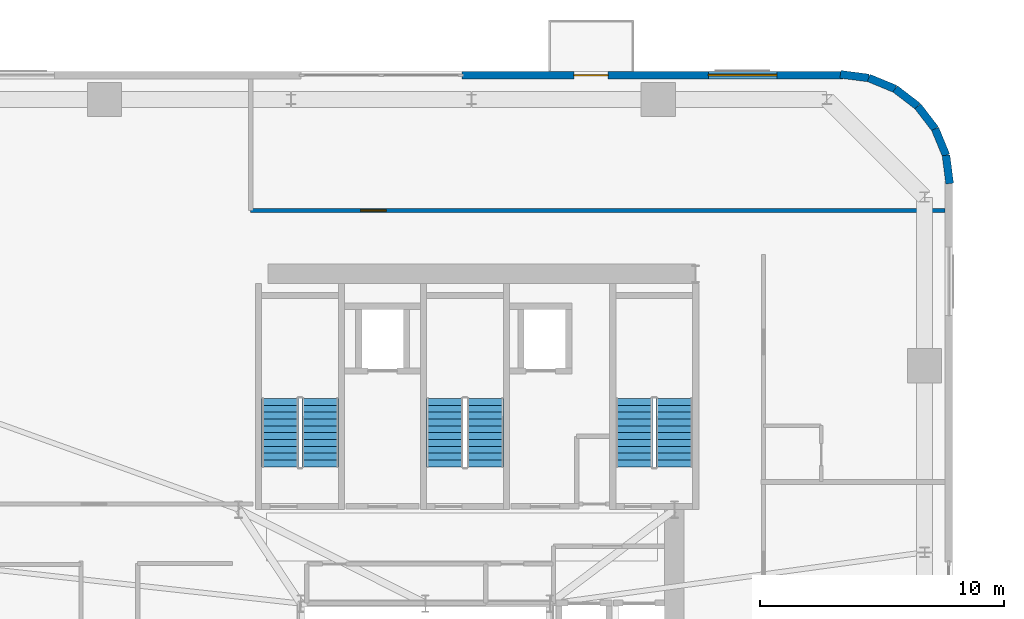
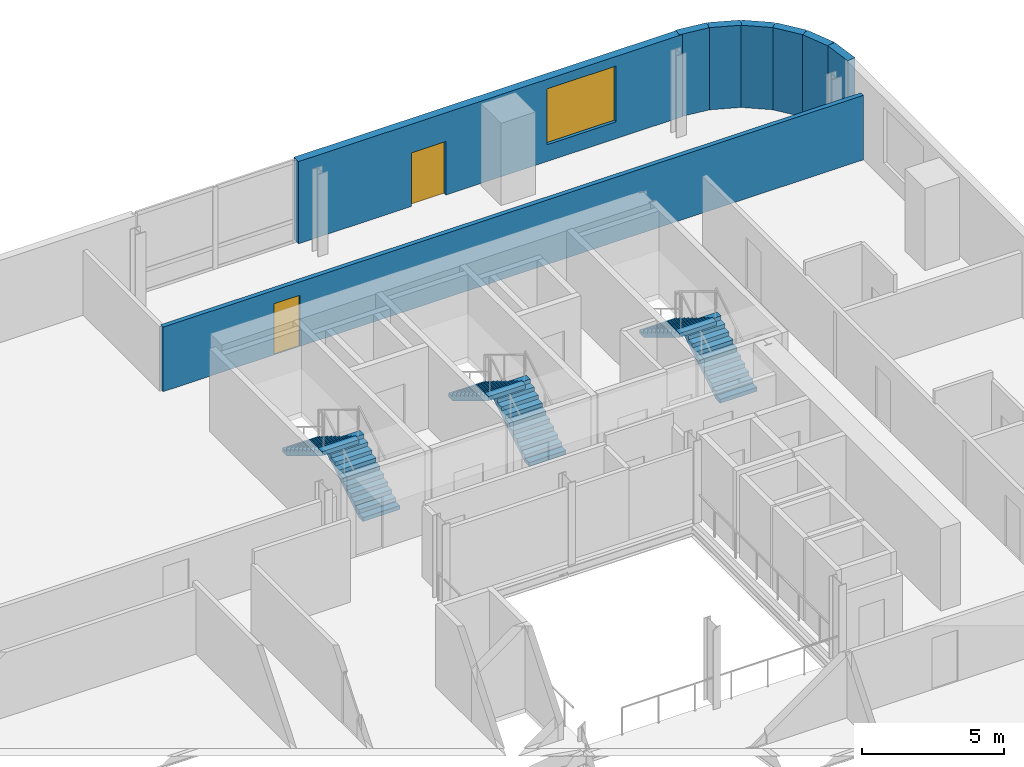
# One storey, part 11 of 16: 8 walls, 6 stair flights, 2 doors, 1 window, 3 openings, 3 elements without a shape of their own.
"""IFC4 building model written with IfcOpenShell, lengths in metres."""

import ifcopenshell
import ifcopenshell.guid

model = None  # the IFC model being written
_history = None  # IfcOwnerHistory: only IFC2X3 demands one
_inside = {}  # id of a spatial element -> (the spatial element, [elements in it])
_under = {}  # id of a project, library or spatial element -> (it, [spatial elements below it])
_declared = {}  # id of a project -> (the project, [libraries it declares])
_typed = {}  # id of a type object -> (the type object, [elements of that type])
_made_of = {}  # id of a material, layer set ... -> (it, [elements and type objects made of it])


def new_model(schema):
    """Start an empty IFC model of exactly this schema.

    Asked for "IFC4X3", IfcOpenShell would pick the latest addendum, in which some entities
    have other attributes; the version numbers below select the first issue.
    IFC2X3 requires an IfcOwnerHistory on every rooted entity: one is made here for all.
    """
    global model, _history
    if schema == "IFC4X3":
        model = ifcopenshell.file(schema_version=(4, 3, 0, 0))
    else:
        model = ifcopenshell.file(schema=schema)
    _inside.clear()
    _under.clear()
    _declared.clear()
    _typed.clear()
    _made_of.clear()
    _history = None
    if model.schema == "IFC2X3":
        org = make("IfcOrganization", Name="unknown")
        user = make(
            "IfcPersonAndOrganization",
            ThePerson=make("IfcPerson", FamilyName="unknown"),
            TheOrganization=org,
        )
        app = make(
            "IfcApplication",
            ApplicationDeveloper=org,
            Version="unknown",
            ApplicationFullName="unknown",
            ApplicationIdentifier="unknown",
        )
        _history = make(
            "IfcOwnerHistory",
            OwningUser=user,
            OwningApplication=app,
            ChangeAction="ADDED",
            CreationDate=0,
        )
    return model


def make(cls, **values):
    """One entity of the class cls with the attributes given. An attribute that is None is left unset."""
    return model.create_entity(
        cls, **{name: value for name, value in values.items() if value is not None}
    )


def rooted(cls, **values):
    """An entity with a GlobalId (a new one), such as an element, a storey or a relation."""
    return make(cls, GlobalId=ifcopenshell.guid.new(), OwnerHistory=_history, **values)


def si_unit(unit_type, name, prefix=None):
    """IfcSIUnit, for example si_unit("LENGTHUNIT", "METRE", prefix="MILLI")."""
    return make("IfcSIUnit", UnitType=unit_type, Prefix=prefix, Name=name)


def assignment(units):
    """IfcUnitAssignment: the units of a project."""
    return None if units is None else make("IfcUnitAssignment", Units=units)


def point(xyz):
    """IfcCartesianPoint."""
    return None if xyz is None else make("IfcCartesianPoint", Coordinates=xyz)


def direction(xyz):
    """IfcDirection."""
    return None if xyz is None else make("IfcDirection", DirectionRatios=xyz)


def frame(location, z_axis=None, x_axis=None):
    """IfcAxis2Placement3D, a coordinate frame: its origin and axes. An axis left out is left unset."""
    return make(
        "IfcAxis2Placement3D",
        Location=point(location),
        Axis=direction(z_axis),
        RefDirection=direction(x_axis),
    )


def frame_2d(location, x_axis=None):
    """IfcAxis2Placement2D, a coordinate frame in the plane: its origin and x axis."""
    return make(
        "IfcAxis2Placement2D", Location=point(location), RefDirection=direction(x_axis)
    )


def origin():
    """The frame at (0, 0, 0) with its axes left unset."""
    return frame((0.0, 0.0, 0.0))


def place(relative_to, where):
    """IfcLocalPlacement: puts the frame where relative to a parent placement (None: the world)."""
    return make(
        "IfcLocalPlacement", PlacementRelTo=relative_to, RelativePlacement=where
    )


def context(
    kind, dimensions, precision=None, world=None, true_north=None, identifier=None
):
    """IfcGeometricRepresentationContext, for example the 3D "Model" context."""
    return make(
        "IfcGeometricRepresentationContext",
        ContextIdentifier=identifier,
        ContextType=kind,
        CoordinateSpaceDimension=dimensions,
        Precision=precision,
        WorldCoordinateSystem=world,
        TrueNorth=true_north,
    )


def subcontext(parent, identifier, kind, view, scale=None):
    """IfcGeometricRepresentationSubContext, for example "Body" below "Model"."""
    return make(
        "IfcGeometricRepresentationSubContext",
        ContextIdentifier=identifier,
        ContextType=kind,
        ParentContext=parent,
        TargetScale=scale,
        TargetView=view,
    )


def project(units=None, contexts=None):
    """IfcProject with its units and contexts."""
    return rooted(
        "IfcProject",
        Name="project",
        RepresentationContexts=contexts,
        UnitsInContext=assignment(units),
    )


def spatial(cls, under=None, at=None, **own):
    """A site, building, storey or space (cls), placed at a placement, below another one or the project."""
    s = rooted(cls, ObjectPlacement=at, **own)
    if under is not None:
        _under.setdefault(under.id(), (under, []))[1].append(s)
    return s


def polyline(points):
    """IfcPolyline through the points."""
    return make("IfcPolyline", Points=[point(p) for p in points])


def profile(cls, at=None, kind="AREA", **sizes):
    """A parametric profile (cls). Its sizes go by their IFC names, for example OverallWidth=200.0."""
    return make(cls, ProfileType=kind, Position=at, **sizes)


def rectangle(**sizes):
    """IfcRectangleProfileDef."""
    return profile("IfcRectangleProfileDef", **sizes)


def outline(outer, holes=None, kind="AREA"):
    """IfcArbitraryClosedProfileDef: a profile drawn as a closed curve; with holes, ...WithVoids."""
    if holes is None:
        return make("IfcArbitraryClosedProfileDef", ProfileType=kind, OuterCurve=outer)
    return make(
        "IfcArbitraryProfileDefWithVoids",
        ProfileType=kind,
        OuterCurve=outer,
        InnerCurves=holes,
    )


def extrude(swept, where, along, depth):
    """IfcExtrudedAreaSolid: the profile swept, set in the frame where, extruded along a direction by depth."""
    return make(
        "IfcExtrudedAreaSolid",
        SweptArea=swept,
        Position=where,
        ExtrudedDirection=direction(along),
        Depth=depth,
    )


def shape(context_of_items, identifier, shape_type, items):
    """IfcShapeRepresentation: the items that make up one representation, for example the "Body"."""
    return make(
        "IfcShapeRepresentation",
        ContextOfItems=context_of_items,
        RepresentationIdentifier=identifier,
        RepresentationType=shape_type,
        Items=items,
    )


def source(mapping_origin, context_of_items, identifier, shape_type, items):
    """IfcRepresentationMap: a shape defined once, which mapped items show again and again."""
    return make(
        "IfcRepresentationMap",
        MappingOrigin=mapping_origin,
        MappedRepresentation=shape(context_of_items, identifier, shape_type, items),
    )


def transform(
    local_origin,
    x_axis=None,
    y_axis=None,
    z_axis=None,
    scale=None,
    scale2=None,
    scale3=None,
    uniform=True,
):
    """IfcCartesianTransformationOperator3D, or its non-uniform kind. x_axis, y_axis, z_axis: its Axis1, 2, 3."""
    if uniform:
        return make(
            "IfcCartesianTransformationOperator3D",
            Axis1=direction(x_axis),
            Axis2=direction(y_axis),
            LocalOrigin=point(local_origin),
            Scale=scale,
            Axis3=direction(z_axis),
        )
    return make(
        "IfcCartesianTransformationOperator3DnonUniform",
        Axis1=direction(x_axis),
        Axis2=direction(y_axis),
        LocalOrigin=point(local_origin),
        Scale=scale,
        Axis3=direction(z_axis),
        Scale2=scale2,
        Scale3=scale3,
    )


def mapped(mapping_source, mapping_target):
    """IfcMappedItem: shows the shape of a source again, moved by a transform."""
    return make(
        "IfcMappedItem", MappingSource=mapping_source, MappingTarget=mapping_target
    )


def material(Name=None, Category=None):
    """IfcMaterial."""
    return make("IfcMaterial", Name=Name, Category=Category)


def layer(
    of_material, thickness, ventilated=None, Name=None, Category=None, Priority=None
):
    """IfcMaterialLayer: one layer of a wall or slab, of a material (None: an air gap)."""
    return make(
        "IfcMaterialLayer",
        Material=of_material,
        LayerThickness=thickness,
        IsVentilated=ventilated,
        Name=Name,
        Category=Category,
        Priority=Priority,
    )


def layer_set(layers, Name=None):
    """IfcMaterialLayerSet."""
    return make("IfcMaterialLayerSet", MaterialLayers=layers, LayerSetName=Name)


def made_of(thing, what):
    """Note that an element or type object is made of a material, layer set ...; save() writes the relation."""
    if what is not None:
        _made_of.setdefault(what.id(), (what, []))[1].append(thing)
    return thing


def type_object(cls, material=None, **own):
    """A type object (cls), such as IfcWallType, which elements share."""
    return made_of(rooted(cls, **own), material)


def element(
    cls,
    number,
    at=None,
    inside=None,
    cuts=None,
    type_object=None,
    material=None,
    context=None,
    identifier="Body",
    shape_type=None,
    held_by="IfcProductDefinitionShape",
    body=None,
    shapes=None,
    **own,
):
    """One element of the class cls, such as IfcWall. Its Tag is "e" and its number.

    at: its placement. inside: the storey or other place that contains it. cuts: it is an
    opening in that element (IfcRelVoidsElement). A single representation is given by context,
    identifier, shape_type and body (its items); several are given by shapes. held_by: the class
    of the entity that holds the representations. save() writes the other relations.
    """
    e = rooted(cls, Tag="e%d" % number, ObjectPlacement=at, **own)
    if body is not None:
        shapes = [shape(context, identifier, shape_type, body)]
    if shapes is not None:
        e.Representation = make(held_by, Representations=shapes)
    if inside is not None:
        _inside.setdefault(inside.id(), (inside, []))[1].append(e)
    if cuts is not None:
        rooted(
            "IfcRelVoidsElement", RelatingBuildingElement=cuts, RelatedOpeningElement=e
        )
    if type_object is not None:
        _typed.setdefault(type_object.id(), (type_object, []))[1].append(e)
    return made_of(e, material)


def fill(opening, filler):
    """IfcRelFillsElement: the door or window that sits in an opening."""
    return rooted(
        "IfcRelFillsElement",
        RelatingOpeningElement=opening,
        RelatedBuildingElement=filler,
    )


def aggregate(whole, parts):
    """IfcRelAggregates: a whole, such as a stair, and the parts it consists of."""
    return rooted("IfcRelAggregates", RelatingObject=whole, RelatedObjects=parts)


def save(model, path):
    """Write the relations noted so far, then the file.

    IfcRelAggregates (storeys below a building ...), IfcRelContainedInSpatialStructure (elements
    in a storey), IfcRelDefinesByType, IfcRelAssociatesMaterial and IfcRelDeclares: one each for
    every whole, place, type object, material and project.
    """
    for whole, parts in _under.values():
        aggregate(whole, parts)
    for where, things in _inside.values():
        rooted(
            "IfcRelContainedInSpatialStructure",
            RelatedElements=things,
            RelatingStructure=where,
        )
    for kind, things in _typed.values():
        rooted("IfcRelDefinesByType", RelatedObjects=things, RelatingType=kind)
    for what, things in _made_of.values():
        rooted("IfcRelAssociatesMaterial", RelatedObjects=things, RelatingMaterial=what)
    for by, libraries in _declared.values():
        rooted("IfcRelDeclares", RelatingContext=by, RelatedDefinitions=libraries)
    model.write(path)


model = new_model("IFC4")

# Units and contexts
model_context = context("Model", 3, precision=1e-05, world=origin(), true_north=direction((0.0, 1.0)))
body_context = subcontext(model_context, "Body", "Model", "MODEL_VIEW")
ifc_project = project(units=[si_unit("LENGTHUNIT", "METRE"), si_unit("AREAUNIT", "SQUARE_METRE"), si_unit("VOLUMEUNIT", "CUBIC_METRE"), si_unit("PLANEANGLEUNIT", "RADIAN"), si_unit("MASSUNIT", "GRAM", prefix="KILO")], contexts=[model_context])

# Site, building, storey
site_placement = place(None, origin())
site = spatial("IfcSite", under=ifc_project, at=site_placement, CompositionType="ELEMENT")
building_placement = place(site_placement, origin())
building = spatial("IfcBuilding", under=site, at=building_placement, Name="Vardaveli Station Tower", CompositionType="ELEMENT")
storey_placement = place(building_placement, frame((0.0, 0.0, 188.550048828125)))
storey = spatial("IfcBuildingStorey", under=building, at=storey_placement, Name="L48", CompositionType="ELEMENT", Elevation=188.550048828125)

# Wall, openings, door, window
ifc_material_1 = material(Name="Precast concrete C45/55", Category="concrete")
ifc_layer_1 = layer(ifc_material_1, 0.320068359375, Name="Precast concrete C45/55")
ifc_layer_set_1 = layer_set([ifc_layer_1], Name="Precast concrete C45/55")
wall_type_1 = type_object("IfcWallType", Name="WAL-EXT-STONE-320", PredefinedType="SOLIDWALL", material=ifc_layer_set_1)
shared_shape_1 = source(origin(), body_context, "Body", "SweptSolid", [
    extrude(rectangle(XDim=15.599853515625, YDim=0.320068359375, at=frame_2d((7.7998046875, 0.0))), origin(), (0.0, 0.0, 1.0), 3.530029296875),
])
wall_1_placement = place(storey_placement, frame((53.39990234375, 48.43994140625, 0.0), z_axis=(0.0, 0.0, 1.0), x_axis=(-1.0, 0.0, 0.0)))
wall_1 = element("IfcWall", 1, at=wall_1_placement, inside=storey, type_object=wall_type_1, Name="EW-L48-N1", PredefinedType="SOLIDWALL", context=body_context, shape_type="MappedRepresentation", body=[
    mapped(shared_shape_1, transform((0.0, 0.0, 0.0), scale=1.0)),
])
shared_shape_2 = source(origin(), body_context, "Body", "SweptSolid", [
    extrude(rectangle(XDim=1.39990234375, YDim=2.300048828125, at=frame_2d((0.699951171875, 1.14990234375))), frame((0.0, 0.169921875, 0.0), z_axis=(0.0, -1.0, 0.0), x_axis=(1.0, 0.0, 0.0)), (0.0, 0.0, 1.0), 0.340087890625),
])
opening_1_placement = place(wall_1_placement, frame((9.6103515625, 0.0, 0.0)))
opening_1 = element("IfcOpeningElement", 2, at=opening_1_placement, cuts=wall_1, Name="Opening D-09", PredefinedType="OPENING", context=body_context, shape_type="MappedRepresentation", body=[
    mapped(shared_shape_2, transform((0.0, 0.0, 0.0), scale=1.0)),
])
shared_shape_3 = source(origin(), body_context, "Body", "SweptSolid", [
    extrude(rectangle(XDim=2.800048828125, YDim=2.39990234375, at=frame_2d((1.39990234375, 1.199951171875))), frame((0.0, 0.169921875, 0.0), z_axis=(0.0, -1.0, 0.0), x_axis=(1.0, 0.0, 0.0)), (0.0, 0.0, 1.0), 0.340087890625),
])
opening_2_placement = place(wall_1_placement, frame((2.705078125, 0.0, 0.719970703125)))
opening_2 = element("IfcOpeningElement", 3, at=opening_2_placement, cuts=wall_1, Name="Opening W-04", PredefinedType="OPENING", context=body_context, shape_type="MappedRepresentation", body=[
    mapped(shared_shape_3, transform((0.0, 0.0, 0.0), scale=1.0)),
])
ifc_material_2 = material(Name="Thermally broken aluminium glass", Category="aluminium")
door_type_1 = type_object("IfcDoorType", Name="DR-LOG-1400x2300", OperationType="DOUBLE_DOOR_SLIDING", PredefinedType="DOOR", material=ifc_material_2)
shared_shape_4 = source(origin(), body_context, "Body", "SweptSolid", [
    extrude(rectangle(XDim=1.39990234375, YDim=2.300048828125, at=frame_2d((0.699951171875, 1.14990234375))), frame((0.0, 0.02490234375, 0.0), z_axis=(0.0, -1.0, 0.0), x_axis=(1.0, 0.0, 0.0)), (0.0, 0.0, 1.0), 0.050048828125),
])
door_1_placement = place(opening_1_placement, frame((1.39990234375, 0.0, 0.0), z_axis=(0.0, 0.0, 1.0), x_axis=(-1.0, 0.0, 0.0)))
door_1 = element("IfcDoor", 4, at=door_1_placement, inside=storey, type_object=door_type_1, Name="DLG-L48-N", OperationType="DOUBLE_DOOR_SLIDING", OverallHeight=2.300048828125, OverallWidth=1.39990234375, PredefinedType="DOOR", context=body_context, shape_type="MappedRepresentation", body=[
    mapped(shared_shape_4, transform((0.0, 0.0, 0.0), scale=1.0)),
])
fill(opening_1, door_1)
ifc_material_3 = material(Name="Low-E solar-control glass", Category="glass")
window_type = type_object("IfcWindowType", Name="WIN-SUITE-2800x2400", PartitioningType="SINGLE_PANEL", PredefinedType="WINDOW", material=ifc_material_3)
shared_shape_5 = source(origin(), body_context, "Body", "SweptSolid", [
    extrude(rectangle(XDim=2.800048828125, YDim=2.39990234375, at=frame_2d((1.39990234375, 1.199951171875))), frame((0.0, 0.030029296875, 0.0), z_axis=(0.0, -1.0, 0.0), x_axis=(1.0, 0.0, 0.0)), (0.0, 0.0, 1.0), 0.06005859375),
])
window_placement = place(opening_2_placement, origin())
window = element("IfcWindow", 5, at=window_placement, inside=storey, type_object=window_type, Name="WN-L48-N1", OverallHeight=2.39990234375, OverallWidth=2.800048828125, PartitioningType="SINGLE_PANEL", PredefinedType="WINDOW", context=body_context, shape_type="MappedRepresentation", body=[
    mapped(shared_shape_5, transform((0.0, 0.0, 0.0), scale=1.0)),
])
fill(opening_2, window)

# Walls
shared_shape_6 = source(origin(), body_context, "Body", "SweptSolid", [
    extrude(rectangle(XDim=1.1689453125, YDim=0.320068359375, at=frame_2d((0.58447265625, 0.0))), origin(), (0.0, 0.0, 1.0), 3.530029296875),
])
wall_2_placement = place(storey_placement, frame((57.179931640625, 46.2412109375, 0.0), z_axis=(0.0, 0.0, 1.0), x_axis=(-0.608387696831, 0.793639975269, 0.0)))
element("IfcWall", 6, at=wall_2_placement, inside=storey, type_object=wall_type_1, Name="EW-L48-CR3-3", PredefinedType="SOLIDWALL", context=body_context, shape_type="MappedRepresentation", body=[
    mapped(shared_shape_6, transform((0.0, 0.0, 0.0), scale=1.0)),
])
shared_shape_7 = source(origin(), body_context, "Body", "SweptSolid", [
    extrude(rectangle(XDim=1.168701171875, YDim=0.320068359375, at=frame_2d((0.58447265625, 0.0))), origin(), (0.0, 0.0, 1.0), 3.530029296875),
])
wall_3_placement = place(storey_placement, frame((56.46875, 47.1689453125, 0.0), z_axis=(0.0, 0.0, 1.0), x_axis=(-0.793663520347, 0.608356981114, 0.0)))
element("IfcWall", 7, at=wall_3_placement, inside=storey, type_object=wall_type_1, Name="EW-L48-CR3-4", PredefinedType="SOLIDWALL", context=body_context, shape_type="MappedRepresentation", body=[
    mapped(shared_shape_7, transform((0.0, 0.0, 0.0), scale=1.0)),
])
shared_shape_8 = source(origin(), body_context, "Body", "SweptSolid", [
    extrude(rectangle(XDim=1.17041015625, YDim=0.320068359375, at=frame_2d((0.585205078125, 0.0))), origin(), (0.0, 0.0, 1.0), 3.530029296875),
])
for number, where, z_axis, x_axis, name in (
    (8, (57.775634765625, 43.99951171875, 0.0), (0.0, 0.0, 1.0), (-0.128295670475, 0.991735963317, 0.0), "EW-L48-CR3-1"),
    (9, (54.460205078125, 48.325439453125, 0.0), (0.0, 0.0, 1.0), (-0.991735963317, 0.128295670475, 0.0), "EW-L48-CR3-6"),
):
    element("IfcWall", number, at=place(storey_placement, frame(where, z_axis=z_axis, x_axis=x_axis)), inside=storey, type_object=wall_type_1, Name=name, PredefinedType="SOLIDWALL", context=body_context, shape_type="MappedRepresentation", body=[
        mapped(shared_shape_8, transform((0.0, 0.0, 0.0), scale=1.0)),
    ])
shared_shape_9 = source(origin(), body_context, "Body", "SweptSolid", [
    extrude(rectangle(XDim=1.169189453125, YDim=0.320068359375, at=frame_2d((0.58447265625, 0.0))), origin(), (0.0, 0.0, 1.0), 3.530029296875),
])
for number, where, z_axis, x_axis, name in (
    (10, (57.62548828125, 45.16015625, 0.0), (0.0, 0.0, 1.0), (-0.381054331552, 0.924552646638, 0.0), "EW-L48-CR3-2"),
    (11, (55.541259765625, 47.8798828125, 0.0), (0.0, 0.0, 1.0), (-0.924552646638, 0.381054331552, 0.0), "EW-L48-CR3-5"),
):
    element("IfcWall", number, at=place(storey_placement, frame(where, z_axis=z_axis, x_axis=x_axis)), inside=storey, type_object=wall_type_1, Name=name, PredefinedType="SOLIDWALL", context=body_context, shape_type="MappedRepresentation", body=[
        mapped(shared_shape_9, transform((0.0, 0.0, 0.0), scale=1.0)),
    ])

# Wall, opening, door
ifc_material_4 = material(Name="Fire-rated gypsum stud partition")
ifc_layer_2 = layer(ifc_material_4, 0.179931640625, Name="Fire-rated gypsum stud partition")
ifc_layer_set_2 = layer_set([ifc_layer_2], Name="Fire-rated gypsum stud partition")
wall_type_2 = type_object("IfcWallType", Name="WAL-CORR-180", PredefinedType="PARTITIONING", material=ifc_layer_set_2)
shared_shape_10 = source(origin(), body_context, "Body", "SweptSolid", [
    extrude(rectangle(XDim=28.427978515625, YDim=0.179931640625, at=frame_2d((14.2138671875, 0.0))), origin(), (0.0, 0.0, 1.0), 2.77197265625),
])
wall_4_placement = place(storey_placement, frame((29.14990234375, 42.89990234375, 0.0), z_axis=(0.0, 0.0, 1.0), x_axis=(1.0, 0.0, 0.0)))
wall_4 = element("IfcWall", 12, at=wall_4_placement, inside=storey, type_object=wall_type_2, Name="W-L48-NPS", PredefinedType="PARTITIONING", context=body_context, shape_type="MappedRepresentation", body=[
    mapped(shared_shape_10, transform((0.0, 0.0, 0.0), scale=1.0)),
])
shared_shape_11 = source(origin(), body_context, "Body", "SweptSolid", [
    extrude(rectangle(XDim=1.050048828125, YDim=2.199951171875, at=frame_2d((0.52490234375, 1.10009765625))), frame((0.0, 0.10009765625, 0.0), z_axis=(0.0, -1.0, 0.0), x_axis=(1.0, 0.0, 0.0)), (0.0, 0.0, 1.0), 0.199951171875),
])
opening_3_placement = place(wall_4_placement, frame((4.5, 0.0, 0.0)))
opening_3 = element("IfcOpeningElement", 13, at=opening_3_placement, cuts=wall_4, Name="Opening D-05", PredefinedType="OPENING", context=body_context, shape_type="MappedRepresentation", body=[
    mapped(shared_shape_11, transform((0.0, 0.0, 0.0), scale=1.0)),
])
ifc_material_5 = material(Name="Walnut veneer acoustic fire door")
door_type_2 = type_object("IfcDoorType", Name="DR-SUITE-1050x2200", OperationType="NOTDEFINED", PredefinedType="DOOR", material=ifc_material_5)
shared_shape_12 = source(origin(), body_context, "Body", "SweptSolid", [
    extrude(rectangle(XDim=1.050048828125, YDim=2.199951171875, at=frame_2d((0.52490234375, 1.10009765625))), frame((0.0, 0.02490234375, 0.0), z_axis=(0.0, -1.0, 0.0), x_axis=(1.0, 0.0, 0.0)), (0.0, 0.0, 1.0), 0.050048828125),
])
door_2_placement = place(opening_3_placement, origin())
door_2 = element("IfcDoor", 14, at=door_2_placement, inside=storey, type_object=door_type_2, Name="D-L48-NP1", OperationType="SINGLE_SWING_LEFT", OverallHeight=2.199951171875, OverallWidth=1.050048828125, PredefinedType="DOOR", context=body_context, shape_type="MappedRepresentation", body=[
    mapped(shared_shape_12, transform((0.0, 0.0, 0.0), scale=1.0)),
])
fill(opening_3, door_2)

# Stair, stair flights
ifc_material_6 = material(Name="Concrete C40/50", Category="concrete")
stair_type = type_object("IfcStairType", Name="STR-CORE-1500", PredefinedType="HALF_TURN_STAIR", material=ifc_material_6)
stair_1_placement = place(storey_placement, origin())
stair_1 = element("IfcStair", 15, at=stair_1_placement, inside=storey, type_object=stair_type, Name="L48 ST-1", PredefinedType="HALF_TURN_STAIR")
stair_flight_type = type_object("IfcStairFlightType", Name="SFL-CORE-1500", PredefinedType="STRAIGHT", material=ifc_material_6)
shared_shape_13 = source(origin(), body_context, "Body", "SweptSolid", [
    extrude(outline(polyline([(0.0, 0.0), (0.0, 0.17041015625), (0.280029296875, 0.17041015625), (0.280029296875, 0.3408203125), (0.56005859375, 0.3408203125), (0.56005859375, 0.511474609375), (0.840087890625, 0.511474609375), (0.840087890625, 0.681884765625), (1.1201171875, 0.681884765625), (1.1201171875, 0.852294921875), (1.39990234375, 0.852294921875), (1.39990234375, 1.022705078125), (1.679931640625, 1.022705078125), (1.679931640625, 1.193115234375), (1.9599609375, 1.193115234375), (1.9599609375, 1.363525390625), (2.239990234375, 1.363525390625), (2.239990234375, 1.5341796875), (2.52001953125, 1.5341796875), (2.52001953125, 1.70458984375), (2.800048828125, 1.70458984375), (2.800048828125, 1.875), (2.800048828125, 1.529052734375), (0.288330078125, 0.0), (0.0, 0.0)])), frame((0.0, 0.75, 0.0), z_axis=(0.0, -1.0, 0.0), x_axis=(1.0, 0.0, 0.0)), (0.0, 0.0, 1.0), 1.5),
])
stair_flight_1_placement = place(storey_placement, frame((32.0, 32.39990234375, 0.0), z_axis=(0.0, 0.0, 1.0), x_axis=(0.0, 1.0, 0.0)))
stair_flight_1 = element("IfcStairFlight", 16, at=stair_flight_1_placement, type_object=stair_flight_type, Name="ST-1 flight 1", NumberOfRisers=11, NumberOfTreads=10, PredefinedType="STRAIGHT", RiserHeight=0.170454545, TreadLength=0.28, context=body_context, shape_type="MappedRepresentation", body=[
    mapped(shared_shape_13, transform((0.0, 0.0, 0.0), scale=1.0)),
])
stair_flight_2_placement = place(storey_placement, frame((30.35009765625, 35.199951171875, 1.875), z_axis=(0.0, 0.0, 1.0), x_axis=(0.0, -1.0, 0.0)))
stair_flight_2 = element("IfcStairFlight", 17, at=stair_flight_2_placement, type_object=stair_flight_type, Name="ST-1 flight 2", NumberOfRisers=11, NumberOfTreads=10, PredefinedType="STRAIGHT", RiserHeight=0.170454545, TreadLength=0.28, context=body_context, shape_type="MappedRepresentation", body=[
    mapped(shared_shape_13, transform((0.0, 0.0, 0.0), scale=1.0)),
])
aggregate(stair_1, [stair_flight_1, stair_flight_2])

stair_2_placement = place(storey_placement, origin())
stair_2 = element("IfcStair", 18, at=stair_2_placement, inside=storey, type_object=stair_type, Name="L48 ST-2", PredefinedType="HALF_TURN_STAIR")
stair_flight_3_placement = place(storey_placement, frame((38.75, 32.39990234375, 0.0), z_axis=(0.0, 0.0, 1.0), x_axis=(0.0, 1.0, 0.0)))
stair_flight_3 = element("IfcStairFlight", 19, at=stair_flight_3_placement, type_object=stair_flight_type, Name="ST-2 flight 1", NumberOfRisers=11, NumberOfTreads=10, PredefinedType="STRAIGHT", RiserHeight=0.170454545, TreadLength=0.28, context=body_context, shape_type="MappedRepresentation", body=[
    mapped(shared_shape_13, transform((0.0, 0.0, 0.0), scale=1.0)),
])
stair_flight_4_placement = place(storey_placement, frame((37.10009765625, 35.199951171875, 1.875), z_axis=(0.0, 0.0, 1.0), x_axis=(0.0, -1.0, 0.0)))
stair_flight_4 = element("IfcStairFlight", 20, at=stair_flight_4_placement, type_object=stair_flight_type, Name="ST-2 flight 2", NumberOfRisers=11, NumberOfTreads=10, PredefinedType="STRAIGHT", RiserHeight=0.170454545, TreadLength=0.28, context=body_context, shape_type="MappedRepresentation", body=[
    mapped(shared_shape_13, transform((0.0, 0.0, 0.0), scale=1.0)),
])
aggregate(stair_2, [stair_flight_3, stair_flight_4])

stair_3_placement = place(storey_placement, origin())
stair_3 = element("IfcStair", 21, at=stair_3_placement, inside=storey, type_object=stair_type, Name="L48 ST-3", PredefinedType="HALF_TURN_STAIR")
stair_flight_5_placement = place(storey_placement, frame((46.5, 32.39990234375, 0.0), z_axis=(0.0, 0.0, 1.0), x_axis=(0.0, 1.0, 0.0)))
stair_flight_5 = element("IfcStairFlight", 22, at=stair_flight_5_placement, type_object=stair_flight_type, Name="ST-3 flight 1", NumberOfRisers=11, NumberOfTreads=10, PredefinedType="STRAIGHT", RiserHeight=0.170454545, TreadLength=0.28, context=body_context, shape_type="MappedRepresentation", body=[
    mapped(shared_shape_13, transform((0.0, 0.0, 0.0), scale=1.0)),
])
stair_flight_6_placement = place(storey_placement, frame((44.85009765625, 35.199951171875, 1.875), z_axis=(0.0, 0.0, 1.0), x_axis=(0.0, -1.0, 0.0)))
stair_flight_6 = element("IfcStairFlight", 23, at=stair_flight_6_placement, type_object=stair_flight_type, Name="ST-3 flight 2", NumberOfRisers=11, NumberOfTreads=10, PredefinedType="STRAIGHT", RiserHeight=0.170454545, TreadLength=0.28, context=body_context, shape_type="MappedRepresentation", body=[
    mapped(shared_shape_13, transform((0.0, 0.0, 0.0), scale=1.0)),
])
aggregate(stair_3, [stair_flight_5, stair_flight_6])

save(model, "model.ifc")
